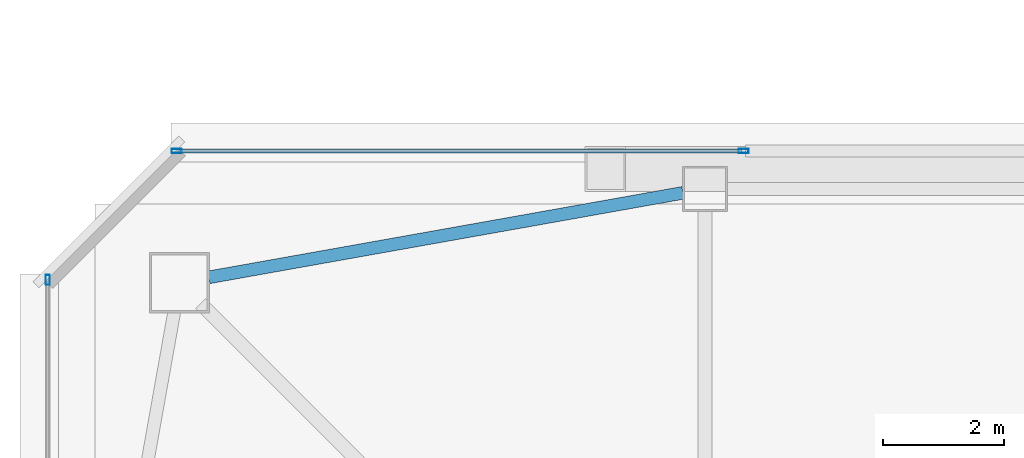
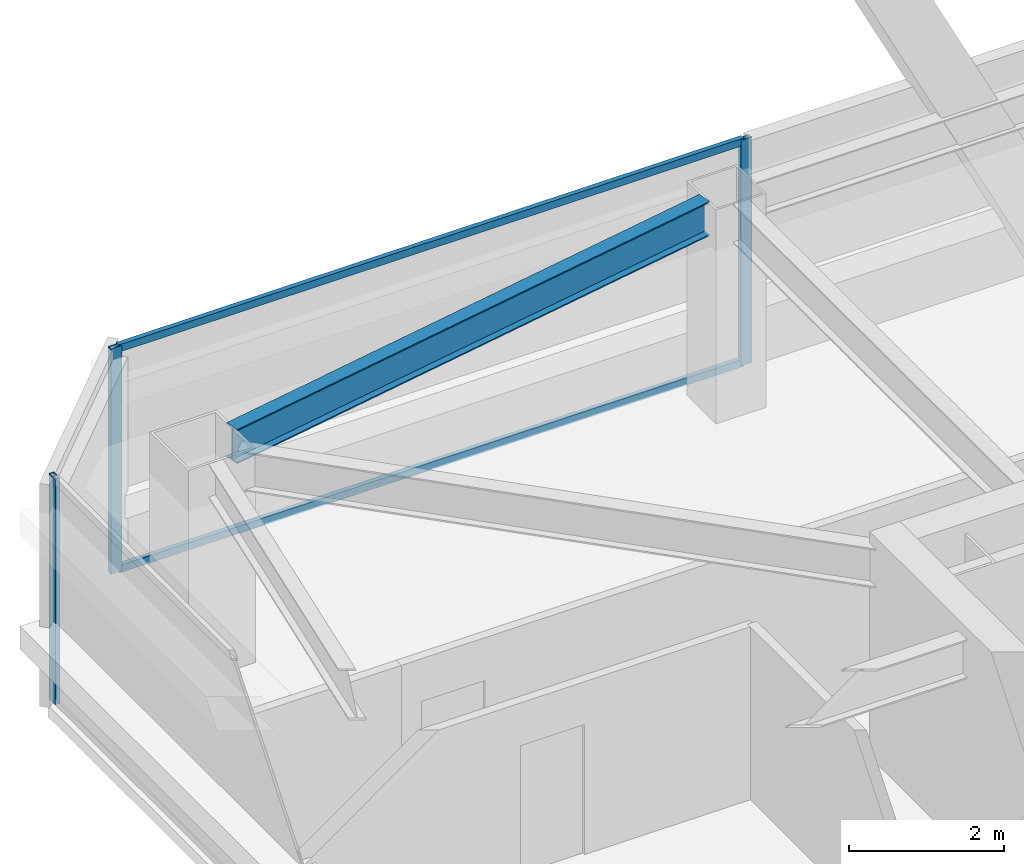
# One storey, part 14 of 47: 5 members, 1 beam, 2 elements without a shape of their own.
"""IFC4 building model written with IfcOpenShell, lengths in metres."""

import ifcopenshell
import ifcopenshell.guid

model = None  # the IFC model being written
_history = None  # IfcOwnerHistory: only IFC2X3 demands one
_inside = {}  # id of a spatial element -> (the spatial element, [elements in it])
_under = {}  # id of a project, library or spatial element -> (it, [spatial elements below it])
_declared = {}  # id of a project -> (the project, [libraries it declares])
_typed = {}  # id of a type object -> (the type object, [elements of that type])
_made_of = {}  # id of a material, layer set ... -> (it, [elements and type objects made of it])


def new_model(schema):
    """Start an empty IFC model of exactly this schema.

    Asked for "IFC4X3", IfcOpenShell would pick the latest addendum, in which some entities
    have other attributes; the version numbers below select the first issue.
    IFC2X3 requires an IfcOwnerHistory on every rooted entity: one is made here for all.
    """
    global model, _history
    if schema == "IFC4X3":
        model = ifcopenshell.file(schema_version=(4, 3, 0, 0))
    else:
        model = ifcopenshell.file(schema=schema)
    _inside.clear()
    _under.clear()
    _declared.clear()
    _typed.clear()
    _made_of.clear()
    _history = None
    if model.schema == "IFC2X3":
        org = make("IfcOrganization", Name="unknown")
        user = make(
            "IfcPersonAndOrganization",
            ThePerson=make("IfcPerson", FamilyName="unknown"),
            TheOrganization=org,
        )
        app = make(
            "IfcApplication",
            ApplicationDeveloper=org,
            Version="unknown",
            ApplicationFullName="unknown",
            ApplicationIdentifier="unknown",
        )
        _history = make(
            "IfcOwnerHistory",
            OwningUser=user,
            OwningApplication=app,
            ChangeAction="ADDED",
            CreationDate=0,
        )
    return model


def make(cls, **values):
    """One entity of the class cls with the attributes given. An attribute that is None is left unset."""
    return model.create_entity(
        cls, **{name: value for name, value in values.items() if value is not None}
    )


def rooted(cls, **values):
    """An entity with a GlobalId (a new one), such as an element, a storey or a relation."""
    return make(cls, GlobalId=ifcopenshell.guid.new(), OwnerHistory=_history, **values)


def si_unit(unit_type, name, prefix=None):
    """IfcSIUnit, for example si_unit("LENGTHUNIT", "METRE", prefix="MILLI")."""
    return make("IfcSIUnit", UnitType=unit_type, Prefix=prefix, Name=name)


def assignment(units):
    """IfcUnitAssignment: the units of a project."""
    return None if units is None else make("IfcUnitAssignment", Units=units)


def point(xyz):
    """IfcCartesianPoint."""
    return None if xyz is None else make("IfcCartesianPoint", Coordinates=xyz)


def direction(xyz):
    """IfcDirection."""
    return None if xyz is None else make("IfcDirection", DirectionRatios=xyz)


def frame(location, z_axis=None, x_axis=None):
    """IfcAxis2Placement3D, a coordinate frame: its origin and axes. An axis left out is left unset."""
    return make(
        "IfcAxis2Placement3D",
        Location=point(location),
        Axis=direction(z_axis),
        RefDirection=direction(x_axis),
    )


def frame_2d(location, x_axis=None):
    """IfcAxis2Placement2D, a coordinate frame in the plane: its origin and x axis."""
    return make(
        "IfcAxis2Placement2D", Location=point(location), RefDirection=direction(x_axis)
    )


def origin():
    """The frame at (0, 0, 0) with its axes left unset."""
    return frame((0.0, 0.0, 0.0))


def origin_2d():
    """The frame at (0, 0) in the plane with its x axis left unset."""
    return frame_2d((0.0, 0.0))


def place(relative_to, where):
    """IfcLocalPlacement: puts the frame where relative to a parent placement (None: the world)."""
    return make(
        "IfcLocalPlacement", PlacementRelTo=relative_to, RelativePlacement=where
    )


def context(
    kind, dimensions, precision=None, world=None, true_north=None, identifier=None
):
    """IfcGeometricRepresentationContext, for example the 3D "Model" context."""
    return make(
        "IfcGeometricRepresentationContext",
        ContextIdentifier=identifier,
        ContextType=kind,
        CoordinateSpaceDimension=dimensions,
        Precision=precision,
        WorldCoordinateSystem=world,
        TrueNorth=true_north,
    )


def subcontext(parent, identifier, kind, view, scale=None):
    """IfcGeometricRepresentationSubContext, for example "Body" below "Model"."""
    return make(
        "IfcGeometricRepresentationSubContext",
        ContextIdentifier=identifier,
        ContextType=kind,
        ParentContext=parent,
        TargetScale=scale,
        TargetView=view,
    )


def project(units=None, contexts=None):
    """IfcProject with its units and contexts."""
    return rooted(
        "IfcProject",
        Name="project",
        RepresentationContexts=contexts,
        UnitsInContext=assignment(units),
    )


def spatial(cls, under=None, at=None, **own):
    """A site, building, storey or space (cls), placed at a placement, below another one or the project."""
    s = rooted(cls, ObjectPlacement=at, **own)
    if under is not None:
        _under.setdefault(under.id(), (under, []))[1].append(s)
    return s


def profile(cls, at=None, kind="AREA", **sizes):
    """A parametric profile (cls). Its sizes go by their IFC names, for example OverallWidth=200.0."""
    return make(cls, ProfileType=kind, Position=at, **sizes)


def hollow_rectangle(**sizes):
    """IfcRectangleHollowProfileDef."""
    return profile("IfcRectangleHollowProfileDef", **sizes)


def i_section(**sizes):
    """IfcIShapeProfileDef."""
    return profile("IfcIShapeProfileDef", **sizes)


def extrude(swept, where, along, depth):
    """IfcExtrudedAreaSolid: the profile swept, set in the frame where, extruded along a direction by depth."""
    return make(
        "IfcExtrudedAreaSolid",
        SweptArea=swept,
        Position=where,
        ExtrudedDirection=direction(along),
        Depth=depth,
    )


def shape(context_of_items, identifier, shape_type, items):
    """IfcShapeRepresentation: the items that make up one representation, for example the "Body"."""
    return make(
        "IfcShapeRepresentation",
        ContextOfItems=context_of_items,
        RepresentationIdentifier=identifier,
        RepresentationType=shape_type,
        Items=items,
    )


def material(Name=None, Category=None):
    """IfcMaterial."""
    return make("IfcMaterial", Name=Name, Category=Category)


def material_profile(
    of_material, cross_section, Name=None, Category=None, Priority=None
):
    """IfcMaterialProfile: a cross section and its material."""
    return make(
        "IfcMaterialProfile",
        Name=Name,
        Material=of_material,
        Profile=cross_section,
        Priority=Priority,
        Category=Category,
    )


def profile_set(profiles, Name=None, composite=None):
    """IfcMaterialProfileSet."""
    return make(
        "IfcMaterialProfileSet",
        Name=Name,
        MaterialProfiles=profiles,
        CompositeProfile=composite,
    )


def made_of(thing, what):
    """Note that an element or type object is made of a material, layer set ...; save() writes the relation."""
    if what is not None:
        _made_of.setdefault(what.id(), (what, []))[1].append(thing)
    return thing


def type_object(cls, material=None, **own):
    """A type object (cls), such as IfcWallType, which elements share."""
    return made_of(rooted(cls, **own), material)


def element(
    cls,
    number,
    at=None,
    inside=None,
    cuts=None,
    type_object=None,
    material=None,
    context=None,
    identifier="Body",
    shape_type=None,
    held_by="IfcProductDefinitionShape",
    body=None,
    shapes=None,
    **own,
):
    """One element of the class cls, such as IfcWall. Its Tag is "e" and its number.

    at: its placement. inside: the storey or other place that contains it. cuts: it is an
    opening in that element (IfcRelVoidsElement). A single representation is given by context,
    identifier, shape_type and body (its items); several are given by shapes. held_by: the class
    of the entity that holds the representations. save() writes the other relations.
    """
    e = rooted(cls, Tag="e%d" % number, ObjectPlacement=at, **own)
    if body is not None:
        shapes = [shape(context, identifier, shape_type, body)]
    if shapes is not None:
        e.Representation = make(held_by, Representations=shapes)
    if inside is not None:
        _inside.setdefault(inside.id(), (inside, []))[1].append(e)
    if cuts is not None:
        rooted(
            "IfcRelVoidsElement", RelatingBuildingElement=cuts, RelatedOpeningElement=e
        )
    if type_object is not None:
        _typed.setdefault(type_object.id(), (type_object, []))[1].append(e)
    return made_of(e, material)


def aggregate(whole, parts):
    """IfcRelAggregates: a whole, such as a stair, and the parts it consists of."""
    return rooted("IfcRelAggregates", RelatingObject=whole, RelatedObjects=parts)


def save(model, path):
    """Write the relations noted so far, then the file.

    IfcRelAggregates (storeys below a building ...), IfcRelContainedInSpatialStructure (elements
    in a storey), IfcRelDefinesByType, IfcRelAssociatesMaterial and IfcRelDeclares: one each for
    every whole, place, type object, material and project.
    """
    for whole, parts in _under.values():
        aggregate(whole, parts)
    for where, things in _inside.values():
        rooted(
            "IfcRelContainedInSpatialStructure",
            RelatedElements=things,
            RelatingStructure=where,
        )
    for kind, things in _typed.values():
        rooted("IfcRelDefinesByType", RelatedObjects=things, RelatingType=kind)
    for what, things in _made_of.values():
        rooted("IfcRelAssociatesMaterial", RelatedObjects=things, RelatingMaterial=what)
    for by, libraries in _declared.values():
        rooted("IfcRelDeclares", RelatingContext=by, RelatedDefinitions=libraries)
    model.write(path)


model = new_model("IFC4")

# Units and contexts
model_context = context("Model", 3, precision=1e-05, world=origin(), true_north=direction((0.0, 1.0)))
body_context = subcontext(model_context, "Body", "Model", "MODEL_VIEW")
ifc_project = project(units=[si_unit("LENGTHUNIT", "METRE"), si_unit("AREAUNIT", "SQUARE_METRE"), si_unit("VOLUMEUNIT", "CUBIC_METRE"), si_unit("PLANEANGLEUNIT", "RADIAN"), si_unit("MASSUNIT", "GRAM", prefix="KILO")], contexts=[model_context])

# Site, building, storey
site_placement = place(None, origin())
site = spatial("IfcSite", under=ifc_project, at=site_placement, CompositionType="ELEMENT")
building_placement = place(site_placement, origin())
building = spatial("IfcBuilding", under=site, at=building_placement, Name="Tashvorn Skyway Center", CompositionType="ELEMENT")
storey_placement = place(building_placement, frame((0.0, 0.0, 204.199951171875)))
storey = spatial("IfcBuildingStorey", under=building, at=storey_placement, Name="L55", CompositionType="ELEMENT", Elevation=204.199951171875)

# Beam
ifc_material_1 = material(Name="Steel ASTM A992 Grade 50", Category="steel")
ifc_material_profile_1 = material_profile(ifc_material_1, i_section(OverallWidth=0.2109375, OverallDepth=0.5390625, WebThickness=0.01171875, FlangeThickness=0.018798828125, at=origin_2d()), Name="W21X73")
ifc_profile_set_1 = profile_set([ifc_material_profile_1], Name="Steel ASTM A992 Grade 50")
beam_type = type_object("IfcBeamType", Name="BM-SPANDREL-W21X73", PredefinedType="SPANDREL", material=ifc_profile_set_1)
beam_placement = place(storey_placement, frame((36.23583984375, 47.585205078125, 3.1005859375), z_axis=(-0.984494883191, -0.17541329759, 0.0), x_axis=(0.17541329759, -0.984494883191, 0.0)))
element("IfcBeam", 1, at=beam_placement, inside=storey, type_object=beam_type, Name="Tower 1 L55 Spandrel Beam 09", PredefinedType="SPANDREL", context=body_context, shape_type="SweptSolid", body=[
    extrude(i_section(OverallWidth=0.2109375, OverallDepth=0.5390625, WebThickness=0.01171875, FlangeThickness=0.018798828125, at=origin_2d()), origin(), (0.0, 0.0, 1.0), 7.97216796875),
])

# Curtain wall, member
ifc_material_2 = material(Name="Thermally broken bronze-anodized aluminium 6063-T6", Category="aluminium")
curtain_wall_type = type_object("IfcCurtainWallType", Name="CW-CW-Z5", PredefinedType="NOTDEFINED", material=ifc_material_2)
curtain_wall_1_placement = place(storey_placement, origin())
curtain_wall_1 = element("IfcCurtainWall", 2, at=curtain_wall_1_placement, inside=storey, type_object=curtain_wall_type, Name="Tower 1 L55 West Unitised Curtain Wall Glazing Group 2", PredefinedType="NOTDEFINED")
ifc_material_profile_2 = material_profile(ifc_material_2, hollow_rectangle(XDim=0.070068359375, YDim=0.1650390625, WallThickness=0.00390625, at=origin_2d()), Name="ALU-MULL-70x165")
ifc_profile_set_2 = profile_set([ifc_material_profile_2], Name="Thermally broken bronze-anodized aluminium 6063-T6")
member_type_1 = type_object("IfcMemberType", Name="CWM-CW-Z5", PredefinedType="MULLION", material=ifc_profile_set_2)
member_1_placement = place(storey_placement, frame((25.719970703125, 46.14501953125, 0.0), z_axis=(0.0, 0.0, 1.0), x_axis=(-1.0, 0.0, 0.0)))
member_1 = element("IfcMember", 3, at=member_1_placement, type_object=member_type_1, Name="CW-Z5 mullion 2", PredefinedType="MULLION", context=body_context, shape_type="SweptSolid", body=[
    extrude(hollow_rectangle(XDim=0.070068359375, YDim=0.1650390625, WallThickness=0.00390625, at=origin_2d()), origin(), (0.0, 0.0, 1.0), 3.550048828125),
])
aggregate(curtain_wall_1, [member_1])

# Curtain wall, members
curtain_wall_2_placement = place(storey_placement, origin())
curtain_wall_2 = element("IfcCurtainWall", 4, at=curtain_wall_2_placement, inside=storey, type_object=curtain_wall_type, Name="Tower 1 L55 North Unitised Curtain Wall Glazing Group 1", PredefinedType="NOTDEFINED")
member_2_placement = place(storey_placement, frame((27.85498046875, 48.280029296875, 0.0), z_axis=(0.0, 0.0, 1.0), x_axis=(0.0, 1.0, 0.0)))
member_2 = element("IfcMember", 5, at=member_2_placement, type_object=member_type_1, Name="CW-Z5 mullion 1", PredefinedType="MULLION", context=body_context, shape_type="SweptSolid", body=[
    extrude(hollow_rectangle(XDim=0.070068359375, YDim=0.1650390625, WallThickness=0.00390625, at=origin_2d()), origin(), (0.0, 0.0, 1.0), 3.550048828125),
])
member_3_placement = place(storey_placement, frame((37.23828125, 48.280029296875, 0.0), z_axis=(0.0, 0.0, 1.0), x_axis=(0.0, 1.0, 0.0)))
member_3 = element("IfcMember", 6, at=member_3_placement, type_object=member_type_1, Name="CW-Z5 mullion 2", PredefinedType="MULLION", context=body_context, shape_type="SweptSolid", body=[
    extrude(hollow_rectangle(XDim=0.070068359375, YDim=0.1650390625, WallThickness=0.00390625, at=origin_2d()), origin(), (0.0, 0.0, 1.0), 3.550048828125),
])
ifc_material_profile_3 = material_profile(ifc_material_2, hollow_rectangle(XDim=0.070068359375, YDim=0.114990234375, WallThickness=0.00390625, at=origin_2d()), Name="ALU-TRAN-70x115")
ifc_profile_set_3 = profile_set([ifc_material_profile_3], Name="Thermally broken bronze-anodized aluminium 6063-T6")
member_type_2 = type_object("IfcMemberType", Name="CWT-CW-Z5", PredefinedType="USERDEFINED", material=ifc_profile_set_3)
member_4_placement = place(storey_placement, frame((27.889892578125, 48.280029296875, 0.03515625), z_axis=(1.0, 0.0, 0.0), x_axis=(0.0, 1.0, 0.0)))
member_4 = element("IfcMember", 7, at=member_4_placement, type_object=member_type_2, Name="CW-Z5 transom 1.1", ObjectType="TRANSOM", PredefinedType="USERDEFINED", context=body_context, shape_type="SweptSolid", body=[
    extrude(hollow_rectangle(XDim=0.070068359375, YDim=0.114990234375, WallThickness=0.00390625, at=origin_2d()), origin(), (0.0, 0.0, 1.0), 9.3134765625),
])
member_5_placement = place(storey_placement, frame((27.889892578125, 48.280029296875, 3.51513671875), z_axis=(1.0, 0.0, 0.0), x_axis=(0.0, 1.0, 0.0)))
member_5 = element("IfcMember", 8, at=member_5_placement, type_object=member_type_2, Name="CW-Z5 transom 1.2", ObjectType="TRANSOM", PredefinedType="USERDEFINED", context=body_context, shape_type="SweptSolid", body=[
    extrude(hollow_rectangle(XDim=0.070068359375, YDim=0.114990234375, WallThickness=0.00390625, at=origin_2d()), origin(), (0.0, 0.0, 1.0), 9.3134765625),
])
aggregate(curtain_wall_2, [member_2, member_3, member_4, member_5])

save(model, "model.ifc")
